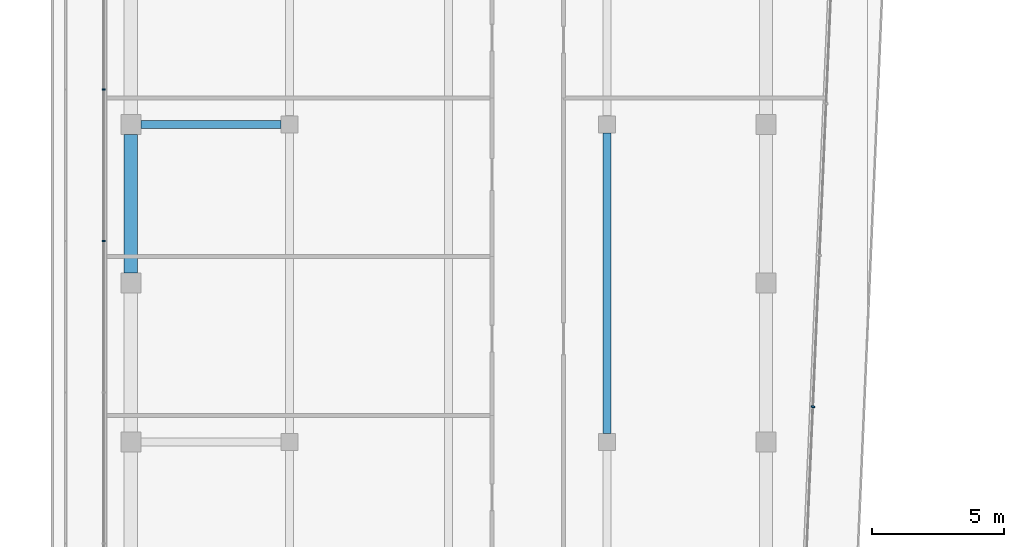
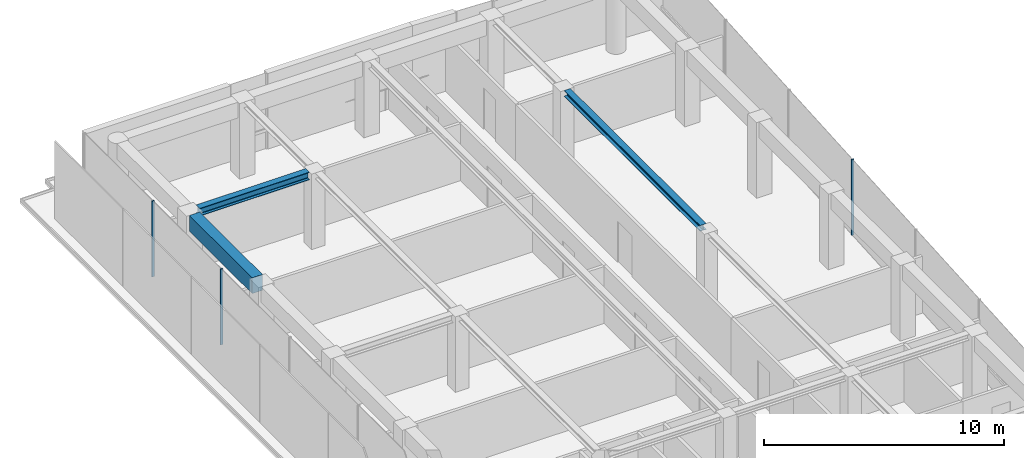
# One storey, part 10 of 19: 3 beams, 3 members, 2 elements without a shape of their own.
"""IFC4 building model written with IfcOpenShell, lengths in metres."""

from ifc_helpers import new_model, si_unit, direction, frame, origin, origin_2d, place, context, subcontext, project, spatial, rectangle, i_section, extrude, material, layer, layer_set, material_profile, profile_set, type_object, element, aggregate, save


model = new_model("IFC4")

# Units and contexts
model_context = context("Model", 3, precision=1e-05, world=origin(), true_north=direction((0.0, 1.0)))
body_context = subcontext(model_context, "Body", "Model", "MODEL_VIEW")
ifc_project = project(units=[si_unit("LENGTHUNIT", "METRE"), si_unit("AREAUNIT", "SQUARE_METRE"), si_unit("VOLUMEUNIT", "CUBIC_METRE"), si_unit("PLANEANGLEUNIT", "RADIAN"), si_unit("MASSUNIT", "GRAM", prefix="KILO")], contexts=[model_context])

# Site, building, storey
site_placement = place(None, origin())
site = spatial("IfcSite", under=ifc_project, at=site_placement, CompositionType="ELEMENT")
building_placement = place(site_placement, origin())
building = spatial("IfcBuilding", under=site, at=building_placement, Name="Welwitschia Terrace Campus", CompositionType="ELEMENT")
storey_placement = place(building_placement, frame((0.0, 0.0, 276.800048828125)))
storey = spatial("IfcBuildingStorey", under=building, at=storey_placement, Name="L61", CompositionType="ELEMENT", Elevation=276.800048828125)

# Beam
ifc_material_1 = material(Name="Steel S355", Category="steel")
ifc_material_profile_1 = material_profile(ifc_material_1, i_section(OverallWidth=0.300048828125, OverallDepth=0.300048828125, WebThickness=0.010986328125, FlangeThickness=0.01904296875, FilletRadius=0.027099609375, at=origin_2d()))
ifc_profile_set_1 = profile_set([ifc_material_profile_1], Name="Steel S355")
beam_type_1 = type_object("IfcBeamType", Name="Interior girder HE 300 B", PredefinedType="BEAM", material=ifc_profile_set_1)
beam_1_placement = place(storey_placement, frame((18.0, 44.325439453125, 3.699951171875), z_axis=(0.0, 1.0, 0.0), x_axis=(-1.0, 0.0, 0.0)))
element("IfcBeam", 1, at=beam_1_placement, inside=storey, type_object=beam_type_1, Name="Girder GB6", PredefinedType="BEAM", context=body_context, shape_type="SweptSolid", body=[
    extrude(i_section(OverallWidth=0.300048828125, OverallDepth=0.300048828125, WebThickness=0.010986328125, FlangeThickness=0.01904296875, FilletRadius=0.027099609375, at=origin_2d()), origin(), (0.0, 0.0, 1.0), 11.34912109375),
])

# Curtain wall, member
ifc_material_2 = material(Name="Bronze anodised aluminium", Category="aluminium")
ifc_layer = layer(ifc_material_2, 0.1201171875)
ifc_layer_set = layer_set([ifc_layer], Name="Bronze anodised aluminium")
curtain_wall_type = type_object("IfcCurtainWallType", Name="Curtain wall CW2 tower 6000", PredefinedType="NOTDEFINED", material=ifc_layer_set)
curtain_wall_1_placement = place(storey_placement, origin())
curtain_wall_1 = element("IfcCurtainWall", 2, at=curtain_wall_1_placement, inside=storey, type_object=curtain_wall_type, Name="CW L61.7.0", PredefinedType="NOTDEFINED")
ifc_material_3 = material(Name="Bronze anodised aluminium", Category="aluminium")
ifc_material_profile_2 = material_profile(ifc_material_3, rectangle(XDim=0.1201171875, YDim=0.06005859375, at=origin_2d()))
ifc_profile_set_2 = profile_set([ifc_material_profile_2], Name="Bronze anodised aluminium")
member_type = type_object("IfcMemberType", Name="Mullion 60x120", PredefinedType="MULLION", material=ifc_profile_set_2)
member_1_placement = place(storey_placement, frame((25.780029296875, 45.326904296875, 0.0), z_axis=(0.0, 0.0, 1.0), x_axis=(-0.999048221582, 0.043619387365, 0.0)))
member_1 = element("IfcMember", 3, at=member_1_placement, type_object=member_type, Name="Mullion L61.7.0.3", PredefinedType="MULLION", context=body_context, shape_type="SweptSolid", body=[
    extrude(rectangle(XDim=0.1201171875, YDim=0.06005859375, at=origin_2d()), origin(), (0.0, 0.0, 1.0), 3.849853515625),
])
aggregate(curtain_wall_1, [member_1])

# Curtain wall, members
curtain_wall_2_placement = place(storey_placement, origin())
curtain_wall_2 = element("IfcCurtainWall", 4, at=curtain_wall_2_placement, inside=storey, type_object=curtain_wall_type, Name="CW L61.10.0", PredefinedType="NOTDEFINED")
member_2_placement = place(storey_placement, frame((-1.030029296875, 57.310791015625, 0.0), z_axis=(0.0, 0.0, 1.0), x_axis=(1.0, 0.0, 0.0)))
member_2 = element("IfcMember", 5, at=member_2_placement, type_object=member_type, Name="Mullion L61.10.0.1", PredefinedType="MULLION", context=body_context, shape_type="SweptSolid", body=[
    extrude(rectangle(XDim=0.1201171875, YDim=0.06005859375, at=origin_2d()), origin(), (0.0, 0.0, 1.0), 3.849853515625),
])
member_3_placement = place(storey_placement, frame((-1.030029296875, 51.591796875, 0.0), z_axis=(0.0, 0.0, 1.0), x_axis=(1.0, 0.0, 0.0)))
member_3 = element("IfcMember", 6, at=member_3_placement, type_object=member_type, Name="Mullion L61.10.0.2", PredefinedType="MULLION", context=body_context, shape_type="SweptSolid", body=[
    extrude(rectangle(XDim=0.1201171875, YDim=0.06005859375, at=origin_2d()), origin(), (0.0, 0.0, 1.0), 3.849853515625),
])
aggregate(curtain_wall_2, [member_2, member_3])

# Beams
ifc_material_4 = material(Name="Steel S355", Category="steel")
ifc_material_profile_3 = material_profile(ifc_material_4, i_section(OverallWidth=0.300048828125, OverallDepth=0.39990234375, WebThickness=0.013427734375, FlangeThickness=0.02392578125, FilletRadius=0.027099609375, at=origin_2d()))
ifc_profile_set_3 = profile_set([ifc_material_profile_3], Name="Steel S355")
beam_type_2 = type_object("IfcBeamType", Name="Primary beam HE 400 B", PredefinedType="BEAM", material=ifc_profile_set_3)
beam_2_placement = place(storey_placement, frame((0.37548828125, 56.0, 3.64990234375), z_axis=(1.0, 0.0, 0.0), x_axis=(0.0, 1.0, 0.0)))
element("IfcBeam", 7, at=beam_2_placement, inside=storey, type_object=beam_type_2, Name="Primary beam PB6", PredefinedType="BEAM", context=body_context, shape_type="SweptSolid", body=[
    extrude(i_section(OverallWidth=0.300048828125, OverallDepth=0.39990234375, WebThickness=0.013427734375, FlangeThickness=0.02392578125, FilletRadius=0.027099609375, at=origin_2d()), origin(), (0.0, 0.0, 1.0), 5.299072265625),
])
ifc_material_5 = material(Name="Concrete C50/60", Category="concrete")
ifc_material_profile_4 = material_profile(ifc_material_5, rectangle(XDim=0.5, YDim=0.800048828125, at=origin_2d()))
ifc_profile_set_4 = profile_set([ifc_material_profile_4], Name="Concrete C50/60")
beam_type_3 = type_object("IfcBeamType", Name="Ring spandrel 500x800", PredefinedType="SPANDREL", material=ifc_profile_set_4)
beam_3_placement = place(storey_placement, frame((0.0, 55.62451171875, 3.449951171875), z_axis=(0.0, -1.0, 0.0), x_axis=(1.0, 0.0, 0.0)))
element("IfcBeam", 8, at=beam_3_placement, inside=storey, type_object=beam_type_3, Name="Spandrel SP4", PredefinedType="SPANDREL", context=body_context, shape_type="SweptSolid", body=[
    extrude(rectangle(XDim=0.5, YDim=0.800048828125, at=origin_2d()), origin(), (0.0, 0.0, 1.0), 5.2490234375),
])

save(model, "model.ifc")
